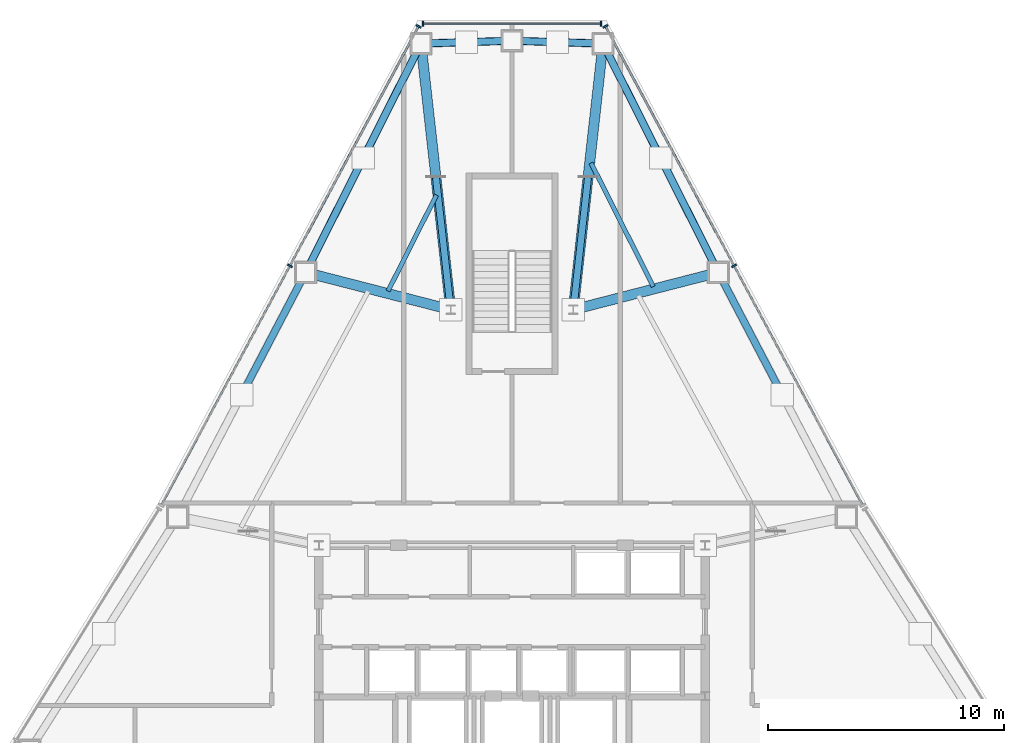
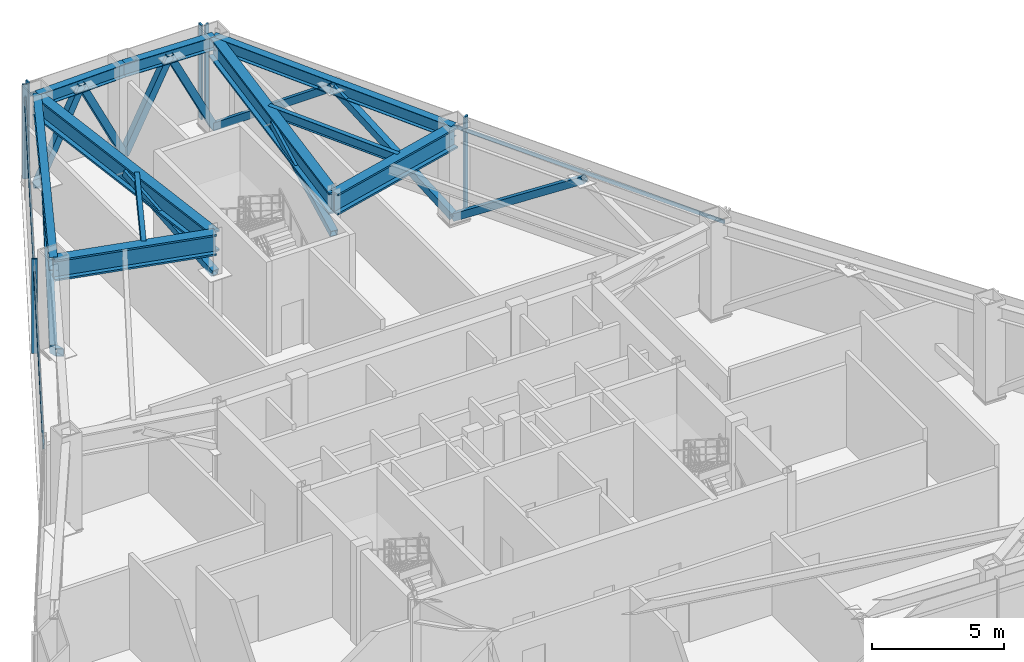
# One storey, part 7 of 12: 21 members, 10 beams, 3 elements without a shape of their own.
"""IFC4 building model written with IfcOpenShell, lengths in metres."""

from ifc_helpers import new_model, si_unit, direction, frame, origin, origin_2d, place, context, subcontext, project, spatial, rectangle, hollow_rectangle, i_section, extrude, source, transform, mapped, material, layer, layer_set, material_profile, profile_set, type_object, type_shapes, element, aggregate, save


model = new_model("IFC4")

# Units and contexts
model_context = context("Model", 3, precision=1e-05, world=origin(), true_north=direction((0.0, 1.0)))
body_context = subcontext(model_context, "Body", "Model", "MODEL_VIEW")
ifc_project = project(units=[si_unit("LENGTHUNIT", "METRE"), si_unit("AREAUNIT", "SQUARE_METRE"), si_unit("VOLUMEUNIT", "CUBIC_METRE"), si_unit("PLANEANGLEUNIT", "RADIAN"), si_unit("MASSUNIT", "GRAM", prefix="KILO")], contexts=[model_context])

# Site, building, storey
site_placement = place(None, origin())
site = spatial("IfcSite", under=ifc_project, at=site_placement, CompositionType="ELEMENT")
building_placement = place(site_placement, origin())
building = spatial("IfcBuilding", under=site, at=building_placement, Name="Varakhsha Concourse Tower", CompositionType="ELEMENT")
storey_placement = place(building_placement, frame((0.0, 0.0, 157.39990234375)))
storey = spatial("IfcBuildingStorey", under=building, at=storey_placement, Name="L45", CompositionType="ELEMENT", Elevation=157.39990234375)

# Beams
ifc_material_1 = material(Name="Structural Steel ASTM A992 Grade 50", Category="steel")
ifc_material_profile_1 = material_profile(ifc_material_1, i_section(OverallWidth=0.19091796875, OverallDepth=0.45703125, WebThickness=0.009033203125, FlangeThickness=0.013916015625, at=origin_2d()), Name="W18X50")
ifc_profile_set_1 = profile_set([ifc_material_profile_1], Name="Structural Steel ASTM A992 Grade 50")
beam_type_1 = type_object("IfcBeamType", Name="BM-JST-W18X50", PredefinedType="JOIST", material=ifc_profile_set_1)
beam_1_placement = place(storey_placement, frame((36.794677734375, 46.072021484375, 4.131591796875), z_axis=(-0.450098569087, -0.892978878869, 0.0), x_axis=(0.892978878869, -0.450098569087, 0.0)))
element("IfcBeam", 1, at=beam_1_placement, inside=storey, type_object=beam_type_1, Name="BM-TJST-L45-03", PredefinedType="JOIST", context=body_context, shape_type="SweptSolid", body=[
    extrude(i_section(OverallWidth=0.19091796875, OverallDepth=0.45703125, WebThickness=0.009033203125, FlangeThickness=0.013916015625, at=origin_2d()), origin(), (0.0, 0.0, 1.0), 4.566162109375),
])
beam_2_placement = place(storey_placement, frame((45.99951171875, 42.1845703125, 4.131591796875), z_axis=(-0.450121946703, 0.892967095192, 0.0), x_axis=(-0.892967095192, -0.450121946703, 0.0)))
element("IfcBeam", 2, at=beam_2_placement, inside=storey, type_object=beam_type_1, Name="BM-TJST-L45-18", PredefinedType="JOIST", context=body_context, shape_type="SweptSolid", body=[
    extrude(i_section(OverallWidth=0.19091796875, OverallDepth=0.45703125, WebThickness=0.009033203125, FlangeThickness=0.013916015625, at=origin_2d()), origin(), (0.0, 0.0, 1.0), 5.871337890625),
])
ifc_material_profile_2 = material_profile(ifc_material_1, i_section(OverallWidth=0.323974609375, OverallDepth=0.611083984375, WebThickness=0.012939453125, FlangeThickness=0.01904296875, at=origin_2d()), Name="W24X104")
ifc_profile_set_2 = profile_set([ifc_material_profile_2], Name="Structural Steel ASTM A992 Grade 50")
beam_type_2 = type_object("IfcBeamType", Name="BM-SPAN-W24X104", PredefinedType="SPANDREL", material=ifc_profile_set_2)
for number, where, z_axis, x_axis, name in (
    (3, (43.863037109375, 52.495849609375, 4.0546875), (-0.999497111061, 0.031710013888, 0.0), (-0.031710013888, -0.999497111061, 0.0), "BM-SPAN-L45-01"),
    (4, (40.0, 52.618408203125, 4.0546875), (-0.999497111061, -0.031710013888, 0.0), (0.031710013888, -0.999497111061, 0.0), "BM-SPAN-L45-02"),
):
    element("IfcBeam", number, at=place(storey_placement, frame(where, z_axis=z_axis, x_axis=x_axis)), inside=storey, type_object=beam_type_2, Name=name, PredefinedType="SPANDREL", context=body_context, shape_type="SweptSolid", body=[
        extrude(i_section(OverallWidth=0.323974609375, OverallDepth=0.611083984375, WebThickness=0.012939453125, FlangeThickness=0.01904296875, at=origin_2d()), origin(), (0.0, 0.0, 1.0), 3.864990234375),
    ])
for number, where, z_axis, x_axis, name in (
    (5, (36.136962890625, 52.495849609375, 4.0546875), (-0.450111133231, -0.892972545906, 0.0), (0.892972545906, -0.450111133231, 0.0), "BM-SPAN-L45-03"),
    (6, (48.759033203125, 42.78271484375, 4.0546875), (-0.450111133231, 0.892972545906, 0.0), (-0.892972545906, -0.450111133231, 0.0), "BM-SPAN-L45-18"),
):
    element("IfcBeam", number, at=place(storey_placement, frame(where, z_axis=z_axis, x_axis=x_axis)), inside=storey, type_object=beam_type_2, Name=name, PredefinedType="SPANDREL", context=body_context, shape_type="SweptSolid", body=[
        extrude(i_section(OverallWidth=0.323974609375, OverallDepth=0.611083984375, WebThickness=0.012939453125, FlangeThickness=0.01904296875, at=origin_2d()), origin(), (0.0, 0.0, 1.0), 10.877197265625),
    ])
ifc_material_profile_3 = material_profile(ifc_material_1, i_section(OverallWidth=0.427978515625, OverallDepth=0.97509765625, WebThickness=0.050048828125, FlangeThickness=0.0810546875, at=origin_2d()), Name="W36X395")
ifc_profile_set_3 = profile_set([ifc_material_profile_3], Name="Structural Steel ASTM A992 Grade 50")
beam_type_3 = type_object("IfcBeamType", Name="BM-XFER-W36X395", PredefinedType="USERDEFINED", material=ifc_profile_set_3)
for number, where, z_axis, x_axis, name in (
    (7, (42.60009765625, 41.199951171875, 3.87255859375), (0.111112815478, 0.993807799444, 0.0), (-0.993807799444, 0.111112815478, 0.0), "L45 Outrigger Top Chord 01"),
    (8, (37.39990234375, 41.199951171875, 3.87255859375), (-0.111112815478, 0.993807799444, 0.0), (-0.993807799444, -0.111112815478, 0.0), "L45 Outrigger Top Chord 03"),
):
    element("IfcBeam", number, at=place(storey_placement, frame(where, z_axis=z_axis, x_axis=x_axis)), inside=storey, type_object=beam_type_3, Name=name, ObjectType="GIRDER", PredefinedType="USERDEFINED", context=body_context, shape_type="SweptSolid", body=[
        extrude(i_section(OverallWidth=0.427978515625, OverallDepth=0.97509765625, WebThickness=0.050048828125, FlangeThickness=0.0810546875, at=origin_2d()), origin(), (0.0, 0.0, 1.0), 11.3662109375),
    ])
for number, where, z_axis, x_axis, name in (
    (9, (37.39990234375, 41.199951171875, 3.87255859375), (-0.968529433349, 0.248899049289, 0.0), (-0.248899049289, -0.968529433349, 0.0), "L45 Outrigger Top Chord 04"),
    (10, (42.60009765625, 41.199951171875, 3.87255859375), (0.968529433349, 0.248899049289, 0.0), (-0.248899049289, 0.968529433349, 0.0), "L45 Outrigger Top Chord 18"),
):
    element("IfcBeam", number, at=place(storey_placement, frame(where, z_axis=z_axis, x_axis=x_axis)), inside=storey, type_object=beam_type_3, Name=name, ObjectType="GIRDER", PredefinedType="USERDEFINED", context=body_context, shape_type="SweptSolid", body=[
        extrude(i_section(OverallWidth=0.427978515625, OverallDepth=0.97509765625, WebThickness=0.050048828125, FlangeThickness=0.0810546875, at=origin_2d()), origin(), (0.0, 0.0, 1.0), 6.359130859375),
    ])

# Members
ifc_material_2 = material(Name="Structural Steel ASTM A500 Grade C", Category="steel")
ifc_material_profile_4 = material_profile(ifc_material_2, hollow_rectangle(XDim=0.300048828125, YDim=0.300048828125, WallThickness=0.013916015625, at=origin_2d()), Name="HSS 300x300x14")
ifc_profile_set_4 = profile_set([ifc_material_profile_4], Name="Structural Steel ASTM A500 Grade C")
member_type_1 = type_object("IfcMemberType", Name="MB-BELT-HSS300", PredefinedType="BRACE", material=ifc_profile_set_4)
shared_shape_1 = source(origin(), body_context, "Body", "SweptSolid", [
    extrude(hollow_rectangle(XDim=0.300048828125, YDim=0.300048828125, WallThickness=0.013916015625, at=origin_2d()), origin(), (0.0, 0.0, 1.0), 4.38818359375),
])
for number, where, z_axis, x_axis, name in (
    (11, (43.863037109375, 52.495849609375, 0.1201171875), (-0.440123974368, 0.013964241887, 0.897828428562), (-0.031712016045, -0.999497047539, 0.0), "L45 Belt Truss Chevron 01A"),
    (12, (36.136962890625, 52.495849609375, 0.1201171875), (0.440123974368, 0.013964241887, 0.897828428562), (-0.031712016045, 0.999497047539, 0.0), "L45 Belt Truss Chevron 02B"),
):
    element("IfcMember", number, at=place(storey_placement, frame(where, z_axis=z_axis, x_axis=x_axis)), inside=storey, type_object=member_type_1, Name=name, PredefinedType="BRACE", context=body_context, shape_type="MappedRepresentation", body=[
        mapped(shared_shape_1, transform((0.0, 0.0, 0.0), scale=1.0)),
    ])
shared_shape_2 = source(origin(), body_context, "Body", "SweptSolid", [
    extrude(hollow_rectangle(XDim=0.300048828125, YDim=0.300048828125, WallThickness=0.013916015625, at=origin_2d()), origin(), (0.0, 0.0, 1.0), 4.388427734375),
])
for number, where, z_axis, x_axis, name in (
    (13, (40.0, 52.618408203125, 0.1201171875), (0.440168830255, -0.013963899949, 0.897806443712), (0.031708011984, 0.999497174571, 0.0), "L45 Belt Truss Chevron 01B"),
    (14, (40.0, 52.618408203125, 0.1201171875), (-0.440168830255, -0.013963899949, 0.897806443712), (0.031708011984, -0.999497174571, 0.0), "L45 Belt Truss Chevron 02A"),
):
    element("IfcMember", number, at=place(storey_placement, frame(where, z_axis=z_axis, x_axis=x_axis)), inside=storey, type_object=member_type_1, Name=name, PredefinedType="BRACE", context=body_context, shape_type="MappedRepresentation", body=[
        mapped(shared_shape_2, transform((0.0, 0.0, 0.0), scale=1.0)),
    ])
shared_shape_3 = source(origin(), body_context, "Body", "SweptSolid", [
    extrude(hollow_rectangle(XDim=0.300048828125, YDim=0.300048828125, WallThickness=0.013916015625, at=origin_2d()), origin(), (0.0, 0.0, 1.0), 6.7158203125),
])
for number, where, z_axis, x_axis, name in (
    (15, (36.136962890625, 52.495849609375, 0.1201171875), (-0.364508009324, -0.723163242193, 0.586659046022), (0.892977093118, -0.450102111933, 0.0), "L45 Belt Truss Chevron 03A"),
    (16, (31.240966796875, 42.78271484375, 0.1201171875), (0.364517591975, 0.723145900026, 0.586674468863), (-0.89296799842, 0.450120154844, 0.0), "L45 Belt Truss Chevron 03B"),
    (17, (48.759033203125, 42.78271484375, 0.1201171875), (-0.364517591975, 0.723145900026, 0.586674468863), (-0.89296799842, -0.450120154844, 0.0), "L45 Belt Truss Chevron 18A"),
    (18, (43.863037109375, 52.495849609375, 0.1201171875), (0.364508009324, -0.723163242193, 0.586659046022), (0.892977093118, 0.450102111933, 0.0), "L45 Belt Truss Chevron 18B"),
):
    element("IfcMember", number, at=place(storey_placement, frame(where, z_axis=z_axis, x_axis=x_axis)), inside=storey, type_object=member_type_1, Name=name, PredefinedType="BRACE", context=body_context, shape_type="MappedRepresentation", body=[
        mapped(shared_shape_3, transform((0.0, 0.0, 0.0), scale=1.0)),
    ])
shared_shape_4 = source(origin(), body_context, "Body", "SweptSolid", [
    extrude(hollow_rectangle(XDim=0.300048828125, YDim=0.300048828125, WallThickness=0.013916015625, at=origin_2d()), origin(), (0.0, 0.0, 1.0), 7.06298828125),
])
type_shapes(member_type_1, [shared_shape_1, shared_shape_2, shared_shape_3, shared_shape_4])
for number, where, z_axis, x_axis, name in (
    (19, (31.240966796875, 42.78271484375, 0.1201171875), (-0.384615515594, -0.735460081359, 0.557825576584), (0.886141102962, -0.46341552158, 0.0), "L45 Belt Truss Chevron 04A"),
    (20, (48.759033203125, 42.78271484375, 0.1201171875), (0.384615515594, -0.735460081359, 0.557825576584), (0.886141102962, 0.46341552158, 0.0), "L45 Belt Truss Chevron 17B"),
):
    element("IfcMember", number, at=place(storey_placement, frame(where, z_axis=z_axis, x_axis=x_axis)), inside=storey, type_object=member_type_1, Name=name, PredefinedType="BRACE", context=body_context, shape_type="MappedRepresentation", body=[
        mapped(shared_shape_4, transform((0.0, 0.0, 0.0), scale=1.0)),
    ])
ifc_material_profile_5 = material_profile(ifc_material_2, hollow_rectangle(XDim=0.300048828125, YDim=0.300048828125, WallThickness=0.013916015625, at=origin_2d()), Name="HSS 300x300x14")
ifc_profile_set_5 = profile_set([ifc_material_profile_5], Name="Structural Steel ASTM A500 Grade C")
member_type_2 = type_object("IfcMemberType", Name="MB-OUTR-HSS300", PredefinedType="STRUT", material=ifc_profile_set_5)
shared_shape_5 = source(origin(), body_context, "Body", "SweptSolid", [
    extrude(hollow_rectangle(XDim=0.300048828125, YDim=0.300048828125, WallThickness=0.013916015625, at=origin_2d()), origin(), (0.0, 0.0, 1.0), 5.86767578125),
])
type_shapes(member_type_2, [shared_shape_5])
for number, where, z_axis, x_axis, name in (
    (21, (42.60009765625, 41.199951171875, 2.4501953125), (0.107597887147, 0.962555886028, 0.248814913048), (-0.993810171079, 0.111091601211, 0.0), "L45 Outrigger Truss Strut 01"),
    (22, (37.39990234375, 41.199951171875, 2.4501953125), (-0.107597887147, 0.962555886028, 0.248814913048), (-0.993810171079, -0.111091601211, 0.0), "L45 Outrigger Truss Strut 02"),
):
    element("IfcMember", number, at=place(storey_placement, frame(where, z_axis=z_axis, x_axis=x_axis)), inside=storey, type_object=member_type_2, Name=name, PredefinedType="STRUT", context=body_context, shape_type="MappedRepresentation", body=[
        mapped(shared_shape_5, transform((0.0, 0.0, 0.0), scale=1.0)),
    ])

# Curtain wall, members
ifc_material_3 = material(Name="Anodised Bronze Architectural Aluminium AA 6063-T6", Category="aluminium")
ifc_layer = layer(ifc_material_3, 0.260009765625, Name="CW-SYS-06")
ifc_layer_set = layer_set([ifc_layer], Name="Anodised Bronze Architectural Aluminium AA 6063-T6")
curtain_wall_type = type_object("IfcCurtainWallType", Name="CW-SYS-06", PredefinedType="NOTDEFINED", material=ifc_layer_set)
curtain_wall_1_placement = place(storey_placement, origin())
curtain_wall_1 = element("IfcCurtainWall", 23, at=curtain_wall_1_placement, inside=storey, type_object=curtain_wall_type, Name="L45 Chamfer Curtain Wall F1", PredefinedType="NOTDEFINED")
ifc_material_profile_6 = material_profile(ifc_material_3, rectangle(XDim=0.074951171875, YDim=0.219970703125, at=origin_2d()), Name="CWM-220X75")
ifc_profile_set_6 = profile_set([ifc_material_profile_6], Name="Anodised Bronze Architectural Aluminium AA 6063-T6")
member_type_3 = type_object("IfcMemberType", Name="CWM-220X75", PredefinedType="MULLION", material=ifc_profile_set_6)
shared_shape_6 = source(origin(), body_context, "Body", "SweptSolid", [
    extrude(rectangle(XDim=0.074951171875, YDim=0.219970703125, at=origin_2d()), origin(), (0.0, 0.0, 1.0), 4.360107421875),
])
type_shapes(member_type_3, [shared_shape_6])
member_1_placement = place(storey_placement, frame((36.219970703125, 53.33837890625, 0.0), z_axis=(0.0, 0.0, 1.0), x_axis=(1.0, 0.0, 0.0)))
member_1 = element("IfcMember", 24, at=member_1_placement, type_object=member_type_3, Name="CW-L45-F1 Mullion 00", PredefinedType="MULLION", context=body_context, shape_type="MappedRepresentation", body=[
    mapped(shared_shape_6, transform((0.0, 0.0, 0.0), scale=1.0)),
])
member_2_placement = place(storey_placement, frame((43.780029296875, 53.33837890625, 0.0), z_axis=(0.0, 0.0, 1.0), x_axis=(1.0, 0.0, 0.0)))
member_2 = element("IfcMember", 25, at=member_2_placement, type_object=member_type_3, Name="CW-L45-F1 Mullion 01", PredefinedType="MULLION", context=body_context, shape_type="MappedRepresentation", body=[
    mapped(shared_shape_6, transform((0.0, 0.0, 0.0), scale=1.0)),
])

curtain_wall_2_placement = place(storey_placement, origin())
curtain_wall_2 = element("IfcCurtainWall", 26, at=curtain_wall_2_placement, inside=storey, type_object=curtain_wall_type, Name="L45 Crystal Curtain Wall F2", PredefinedType="NOTDEFINED")
member_3_placement = place(storey_placement, frame((30.573486328125, 43.061767578125, 0.0), z_axis=(0.0, 0.0, 1.0), x_axis=(0.473335041556, 0.880882477085, 0.0)))
member_3 = element("IfcMember", 27, at=member_3_placement, type_object=member_type_3, Name="CW-L45-F2 Mullion 01", PredefinedType="MULLION", context=body_context, shape_type="MappedRepresentation", body=[
    mapped(shared_shape_6, transform((0.0, 0.0, 0.0), scale=1.0)),
])
member_4_placement = place(storey_placement, frame((36.036865234375, 53.22900390625, 0.0), z_axis=(0.0, 0.0, 1.0), x_axis=(0.473335041556, 0.880882477085, 0.0)))
member_4 = element("IfcMember", 28, at=member_4_placement, type_object=member_type_3, Name="CW-L45-F2 Mullion 02", PredefinedType="MULLION", context=body_context, shape_type="MappedRepresentation", body=[
    mapped(shared_shape_6, transform((0.0, 0.0, 0.0), scale=1.0)),
])

curtain_wall_3_placement = place(storey_placement, origin())
curtain_wall_3 = element("IfcCurtainWall", 29, at=curtain_wall_3_placement, inside=storey, type_object=curtain_wall_type, Name="L45 Crystal Curtain Wall F9", PredefinedType="NOTDEFINED")
member_5_placement = place(storey_placement, frame((43.963134765625, 53.22900390625, 0.0), z_axis=(0.0, 0.0, 1.0), x_axis=(0.473335041556, -0.880882477085, 0.0)))
member_5 = element("IfcMember", 30, at=member_5_placement, type_object=member_type_3, Name="CW-L45-F9 Mullion 00", PredefinedType="MULLION", context=body_context, shape_type="MappedRepresentation", body=[
    mapped(shared_shape_6, transform((0.0, 0.0, 0.0), scale=1.0)),
])
member_6_placement = place(storey_placement, frame((49.426513671875, 43.061767578125, 0.0), z_axis=(0.0, 0.0, 1.0), x_axis=(0.473335041556, -0.880882477085, 0.0)))
member_6 = element("IfcMember", 31, at=member_6_placement, type_object=member_type_3, Name="CW-L45-F9 Mullion 01", PredefinedType="MULLION", context=body_context, shape_type="MappedRepresentation", body=[
    mapped(shared_shape_6, transform((0.0, 0.0, 0.0), scale=1.0)),
])

# Member
ifc_material_profile_7 = material_profile(ifc_material_3, rectangle(XDim=0.06494140625, YDim=0.159912109375, at=origin_2d()), Name="CWT-160X65")
ifc_profile_set_7 = profile_set([ifc_material_profile_7], Name="Anodised Bronze Architectural Aluminium AA 6063-T6")
member_type_4 = type_object("IfcMemberType", Name="CWT-160X65", PredefinedType="USERDEFINED", material=ifc_profile_set_7)
shared_shape_7 = source(origin(), body_context, "Body", "SweptSolid", [
    extrude(rectangle(XDim=0.06494140625, YDim=0.159912109375, at=origin_2d()), origin(), (0.0, 0.0, 1.0), 7.56005859375),
])
member_7_placement = place(storey_placement, frame((36.219970703125, 53.33837890625, 3.710205078125), z_axis=(1.0, 0.0, 0.0), x_axis=(0.0, 1.0, 0.0)))
member_7 = element("IfcMember", 32, at=member_7_placement, type_object=member_type_4, Name="CW-L45-F1 Transom 01", ObjectType="TRANSOM", PredefinedType="USERDEFINED", context=body_context, shape_type="MappedRepresentation", body=[
    mapped(shared_shape_7, transform((0.0, 0.0, 0.0), scale=1.0)),
])

aggregate(curtain_wall_1, [member_1, member_2, member_7])

shared_shape_8 = source(origin(), body_context, "Body", "SweptSolid", [
    extrude(rectangle(XDim=0.06494140625, YDim=0.159912109375, at=origin_2d()), origin(), (0.0, 0.0, 1.0), 23.084228515625),
])
type_shapes(member_type_4, [shared_shape_7, shared_shape_8])
member_8_placement = place(storey_placement, frame((25.110107421875, 32.89453125, 3.710205078125), z_axis=(0.473341567889, 0.880878970182, 0.0), x_axis=(-0.880878970182, 0.473341567889, 0.0)))
member_8 = element("IfcMember", 33, at=member_8_placement, type_object=member_type_4, Name="CW-L45-F2 Transom 01", ObjectType="TRANSOM", PredefinedType="USERDEFINED", context=body_context, shape_type="MappedRepresentation", body=[
    mapped(shared_shape_8, transform((0.0, 0.0, 0.0), scale=1.0)),
])

aggregate(curtain_wall_2, [member_3, member_4, member_8])

member_9_placement = place(storey_placement, frame((43.963134765625, 53.22900390625, 3.710205078125), z_axis=(0.473341567889, -0.880878970182, 0.0), x_axis=(0.880878970182, 0.473341567889, 0.0)))
member_9 = element("IfcMember", 34, at=member_9_placement, type_object=member_type_4, Name="CW-L45-F9 Transom 01", ObjectType="TRANSOM", PredefinedType="USERDEFINED", context=body_context, shape_type="MappedRepresentation", body=[
    mapped(shared_shape_8, transform((0.0, 0.0, 0.0), scale=1.0)),
])

aggregate(curtain_wall_3, [member_5, member_6, member_9])

save(model, "model.ifc")
